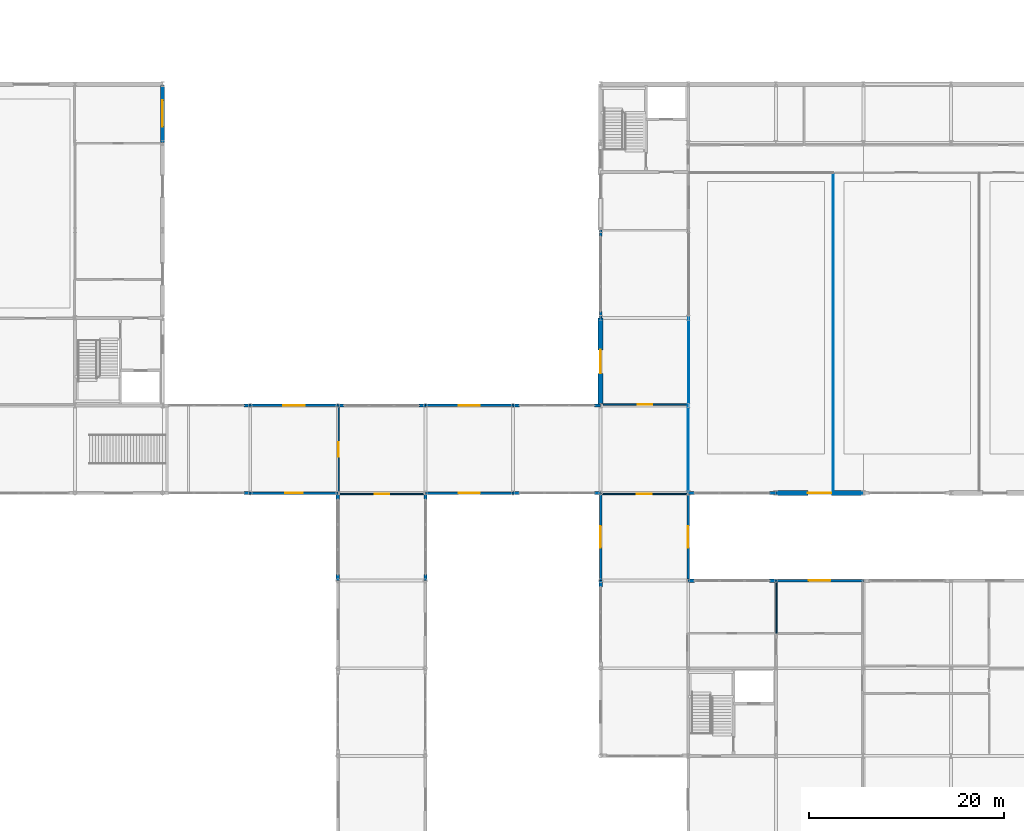
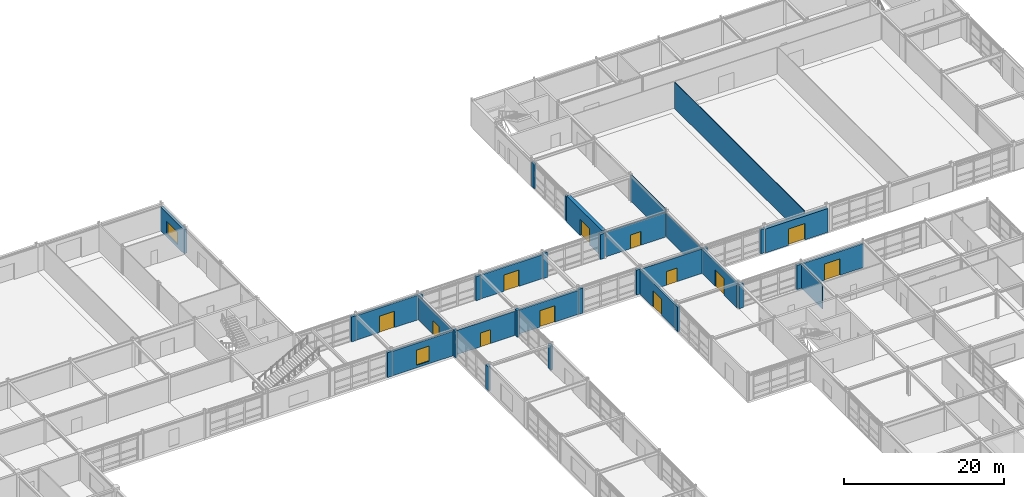
# One storey, part 63 of 72: 37 walls, 12 doors, 2 windows, 14 openings.
"""IFC4 building model written with IfcOpenShell, lengths in metres."""

from ifc_helpers import new_model, si_unit, direction, frame, frame_2d, origin, place, context, subcontext, project, spatial, rectangle, extrude, material, layer, layer_set, type_object, element, fill, save


model = new_model("IFC4")

# Units and contexts
model_context = context("Model", 3, precision=1e-05, world=origin(), true_north=direction((0.0, 1.0)))
body_context = subcontext(model_context, "Body", "Model", "MODEL_VIEW")
ifc_project = project(units=[si_unit("LENGTHUNIT", "METRE"), si_unit("AREAUNIT", "SQUARE_METRE"), si_unit("VOLUMEUNIT", "CUBIC_METRE"), si_unit("PLANEANGLEUNIT", "RADIAN"), si_unit("MASSUNIT", "GRAM", prefix="KILO")], contexts=[model_context])

# Site, building, storey
site_placement = place(None, origin())
site = spatial("IfcSite", under=ifc_project, at=site_placement, CompositionType="ELEMENT")
building_placement = place(site_placement, origin())
building = spatial("IfcBuilding", under=site, at=building_placement, Name="Palais des Congres Ocreval", CompositionType="ELEMENT")
storey_placement = place(building_placement, origin())
storey = spatial("IfcBuildingStorey", under=building, at=storey_placement, Name="L00", CompositionType="ELEMENT", Elevation=0.0)

# Wall, opening, door
ifc_material_1 = material(Name="Concrete C40/50", Category="concrete")
ifc_layer_1 = layer(ifc_material_1, 0.5)
ifc_layer_set_1 = layer_set([ifc_layer_1], Name="Acoustic Ballroom Wall 500 Concrete C40/50")
wall_type_1 = type_object("IfcWallType", Name="Acoustic Ballroom Wall 500 Concrete C40/50", PredefinedType="SOLIDWALL", material=ifc_layer_set_1)
wall_1_placement = place(storey_placement, frame((99.0, 81.155029296875, 0.0), z_axis=(0.0, 0.0, 1.0), x_axis=(0.0, 1.0, 0.0)))
wall_1 = element("IfcWall", 1, at=wall_1_placement, inside=storey, type_object=wall_type_1, Name="Exterior Wall EW01 L00", PredefinedType="SOLIDWALL", context=body_context, shape_type="SweptSolid", body=[
    extrude(rectangle(XDim=8.844970703125, YDim=0.5, at=frame_2d((4.42236328125, 0.0))), origin(), (0.0, 0.0, 1.0), 4.054931640625),
])
opening_1_placement = place(wall_1_placement, frame((3.14501953125, 0.0, 0.0)))
opening_1 = element("IfcOpeningElement", 2, at=opening_1_placement, cuts=wall_1, Name="Opening ED03", PredefinedType="OPENING", context=body_context, shape_type="SweptSolid", body=[
    extrude(rectangle(XDim=2.39990234375, YDim=2.5, at=frame_2d((1.199951171875, 1.25))), frame((0.0, 0.260009765625, 0.0), z_axis=(0.0, -1.0, 0.0), x_axis=(1.0, 0.0, 0.0)), (0.0, 0.0, 1.0), 0.52001953125),
])
ifc_material_2 = material(Name="Anodized bronze aluminium and safety glass", Category="aluminium")
door_type_1 = type_object("IfcDoorType", Name="Ballroom Final Exit Door 2400x2500", OperationType="NOTDEFINED", PredefinedType="DOOR", material=ifc_material_2)
door_1_placement = place(opening_1_placement, origin())
door_1 = element("IfcDoor", 3, at=door_1_placement, inside=storey, type_object=door_type_1, Name="Pedestrian Final Exit Door E20", OperationType="DOUBLE_DOOR_SINGLE_SWING", OverallHeight=2.5, OverallWidth=2.39990234375, PredefinedType="DOOR", context=body_context, shape_type="SweptSolid", body=[
    extrude(rectangle(XDim=2.39990234375, YDim=2.5, at=frame_2d((1.199951171875, 1.25))), frame((0.0, 0.02490234375, 0.0), z_axis=(0.0, -1.0, 0.0), x_axis=(1.0, 0.0, 0.0)), (0.0, 0.0, 1.0), 0.050048828125),
])
fill(opening_1, door_1)

wall_2_placement = place(storey_placement, frame((126.0, 72.0, 0.0), z_axis=(0.0, 0.0, 1.0), x_axis=(-1.0, 0.0, 0.0)))
wall_2 = element("IfcWall", 4, at=wall_2_placement, inside=storey, type_object=wall_type_1, Name="Exterior Wall EW01 L00", PredefinedType="SOLIDWALL", context=body_context, shape_type="SweptSolid", body=[
    extrude(rectangle(XDim=9.0, YDim=0.5, at=frame_2d((4.5, 0.0))), origin(), (0.0, 0.0, 1.0), 3.655029296875),
])
opening_2_placement = place(wall_2_placement, frame((3.300048828125, 0.0, 0.0)))
opening_2 = element("IfcOpeningElement", 5, at=opening_2_placement, cuts=wall_2, Name="Opening ED03", PredefinedType="OPENING", context=body_context, shape_type="SweptSolid", body=[
    extrude(rectangle(XDim=2.39990234375, YDim=2.5, at=frame_2d((1.199951171875, 1.25))), frame((0.0, 0.260009765625, 0.0), z_axis=(0.0, -1.0, 0.0), x_axis=(1.0, 0.0, 0.0)), (0.0, 0.0, 1.0), 0.52001953125),
])
door_2_placement = place(opening_2_placement, origin())
door_2 = element("IfcDoor", 6, at=door_2_placement, inside=storey, type_object=door_type_1, Name="Pedestrian Final Exit Door E25", OperationType="DOUBLE_DOOR_SINGLE_SWING", OverallHeight=2.5, OverallWidth=2.39990234375, PredefinedType="DOOR", context=body_context, shape_type="SweptSolid", body=[
    extrude(rectangle(XDim=2.39990234375, YDim=2.5, at=frame_2d((1.199951171875, 1.25))), frame((0.0, 0.02490234375, 0.0), z_axis=(0.0, -1.0, 0.0), x_axis=(1.0, 0.0, 0.0)), (0.0, 0.0, 1.0), 0.050048828125),
])
fill(opening_2, door_2)

# Wall, opening, window
ifc_layer_2 = layer(ifc_material_1, 0.419921875)
ifc_layer_set_2 = layer_set([ifc_layer_2], Name="Congress Stone Facade Wall 420 Concrete C40/50")
wall_type_2 = type_object("IfcWallType", Name="Congress Stone Facade Wall 420 Concrete C40/50", PredefinedType="SOLIDWALL", material=ifc_layer_set_2)
wall_3_placement = place(storey_placement, frame((54.0, 113.844970703125, 0.0), z_axis=(0.0, 0.0, 1.0), x_axis=(0.0, -1.0, 0.0)))
wall_3 = element("IfcWall", 7, at=wall_3_placement, inside=storey, type_object=wall_type_2, Name="Exterior Wall EW02 L00", PredefinedType="SOLIDWALL", context=body_context, shape_type="SweptSolid", body=[
    extrude(rectangle(XDim=5.844970703125, YDim=0.419921875, at=frame_2d((2.92236328125, 0.0))), origin(), (0.0, 0.0, 1.0), 3.655029296875),
])
opening_3_placement = place(wall_3_placement, frame((1.4951171875, 0.0, 0.39990234375)))
opening_3 = element("IfcOpeningElement", 8, at=opening_3_placement, cuts=wall_3, Name="Opening WN04", PredefinedType="OPENING", context=body_context, shape_type="SweptSolid", body=[
    extrude(rectangle(XDim=2.699951171875, YDim=1.949951171875, at=frame_2d((1.35009765625, 0.97509765625))), frame((0.0, 0.219970703125, 0.0), z_axis=(0.0, -1.0, 0.0), x_axis=(1.0, 0.0, 0.0)), (0.0, 0.0, 1.0), 0.43994140625),
])
ifc_material_3 = material(Name="Anodized bronze aluminium and low-E glass", Category="glass")
window_type_1 = type_object("IfcWindowType", Name="Suite Corner Window 2700x1950", PartitioningType="SINGLE_PANEL", PredefinedType="WINDOW", material=ifc_material_3)
window_1_placement = place(opening_3_placement, origin())
window_1 = element("IfcWindow", 9, at=window_1_placement, inside=storey, type_object=window_type_1, Name="Facade Window WN04", OverallHeight=1.949951171875, OverallWidth=2.699951171875, PartitioningType="SINGLE_PANEL", PredefinedType="WINDOW", context=body_context, shape_type="SweptSolid", body=[
    extrude(rectangle(XDim=2.699951171875, YDim=1.949951171875, at=frame_2d((1.35009765625, 0.97509765625))), frame((0.0, 0.030029296875, 0.0), z_axis=(0.0, -1.0, 0.0), x_axis=(1.0, 0.0, 0.0)), (0.0, 0.0, 1.0), 0.06005859375),
])
fill(opening_3, window_1)

# Wall, opening, door
ifc_material_4 = material(Name="Gypsum acoustic partition")
ifc_layer_3 = layer(ifc_material_4, 0.159912109375)
ifc_layer_set_3 = layer_set([ifc_layer_3], Name="Corridor Fire Partition 160 Gypsum (Gypsum acoustic partition)")
wall_type_3 = type_object("IfcWallType", Name="Corridor Fire Partition 160 Gypsum", PredefinedType="PARTITIONING", material=ifc_layer_set_3)
wall_4_placement = place(storey_placement, frame((99.2548828125, 81.090087890625, 0.0), z_axis=(0.0, 0.0, 1.0), x_axis=(1.0, 0.0, 0.0)))
wall_4 = element("IfcWall", 10, at=wall_4_placement, inside=storey, type_object=wall_type_3, Name="Interior Partition IW03 L00", PredefinedType="PARTITIONING", context=body_context, shape_type="SweptSolid", body=[
    extrude(rectangle(XDim=8.5751953125, YDim=0.159912109375, at=frame_2d((4.28759765625, 0.0))), origin(), (0.0, 0.0, 1.0), 3.7548828125),
])
opening_4_placement = place(wall_4_placement, frame((3.53759765625, 0.0, 0.0)))
opening_4 = element("IfcOpeningElement", 11, at=opening_4_placement, cuts=wall_4, Name="Opening D04", PredefinedType="OPENING", context=body_context, shape_type="SweptSolid", body=[
    extrude(rectangle(XDim=1.5, YDim=2.10009765625, at=frame_2d((0.75, 1.050048828125))), frame((0.0, 0.08984375, 0.0), z_axis=(0.0, -1.0, 0.0), x_axis=(1.0, 0.0, 0.0)), (0.0, 0.0, 1.0), 0.179931640625),
])
ifc_material_5 = material(Name="Solid French oak fire door", Category="wood")
door_type_2 = type_object("IfcDoorType", Name="Corridor Compartment Double Door 1500x2100", OperationType="NOTDEFINED", PredefinedType="DOOR", material=ifc_material_5)
door_3_placement = place(opening_4_placement, origin())
door_3 = element("IfcDoor", 12, at=door_3_placement, inside=storey, type_object=door_type_2, Name="Interior Door D04 L00", OperationType="DOUBLE_DOOR_SINGLE_SWING", OverallHeight=2.10009765625, OverallWidth=1.5, PredefinedType="DOOR", context=body_context, shape_type="SweptSolid", body=[
    extrude(rectangle(XDim=1.5, YDim=2.10009765625, at=frame_2d((0.75, 1.050048828125))), frame((0.0, 0.02490234375, 0.0), z_axis=(0.0, -1.0, 0.0), x_axis=(1.0, 0.0, 0.0)), (0.0, 0.0, 1.0), 0.050048828125),
])
fill(opening_4, door_3)

# Walls
ifc_layer_4 = layer(ifc_material_1, 0.340087890625)
ifc_layer_set_4 = layer_set([ifc_layer_4], Name="Ochre Mineral-Lime Courtyard Wall 340 Concrete C40/50")
wall_type_4 = type_object("IfcWallType", Name="Ochre Mineral-Lime Courtyard Wall 340 Concrete C40/50", PredefinedType="SOLIDWALL", material=ifc_layer_set_4)
wall_5_placement = place(storey_placement, frame((62.35009765625, 81.0, 0.0), z_axis=(0.0, 0.0, 1.0), x_axis=(1.0, 0.0, 0.0)))
element("IfcWall", 13, at=wall_5_placement, inside=storey, type_object=wall_type_4, Name="Facade Pier EW04 L00", PredefinedType="SOLIDWALL", context=body_context, shape_type="SweptSolid", body=[
    extrude(rectangle(XDim=0.64990234375, YDim=0.340087890625, at=frame_2d((0.324951171875, 0.0))), origin(), (0.0, 0.0, 1.0), 3.824951171875),
])
for number, where, z_axis, x_axis, name in (
    (14, (72.0, 81.0, 0.0), (0.0, 0.0, 1.0), (1.0, 0.0, 0.0), "Facade Pier EW04 L00"),
    (15, (80.35009765625, 81.0, 0.0), (0.0, 0.0, 1.0), (1.0, 0.0, 0.0), "Facade Pier EW04 L00"),
):
    element("IfcWall", number, at=place(storey_placement, frame(where, z_axis=z_axis, x_axis=x_axis)), inside=storey, type_object=wall_type_4, Name=name, PredefinedType="SOLIDWALL", context=body_context, shape_type="SweptSolid", body=[
        extrude(rectangle(XDim=0.64990234375, YDim=0.340087890625, at=frame_2d((0.324951171875, 0.0))), origin(), (0.0, 0.0, 1.0), 3.695068359375),
    ])
for number, where, z_axis, x_axis, name in (
    (16, (90.0, 81.0, 0.0), (0.0, 0.0, 1.0), (1.0, 0.0, 0.0), "Facade Pier EW04 L00"),
    (17, (98.35009765625, 81.0, 0.0), (0.0, 0.0, 1.0), (1.0, 0.0, 0.0), "Facade Pier EW04 L00"),
):
    element("IfcWall", number, at=place(storey_placement, frame(where, z_axis=z_axis, x_axis=x_axis)), inside=storey, type_object=wall_type_4, Name=name, PredefinedType="SOLIDWALL", context=body_context, shape_type="SweptSolid", body=[
        extrude(rectangle(XDim=0.64990234375, YDim=0.340087890625, at=frame_2d((0.324951171875, 0.0))), origin(), (0.0, 0.0, 1.0), 3.824951171875),
    ])
for number, where, z_axis, x_axis, name in (
    (18, (108.0, 63.0, 0.0), (0.0, 0.0, 1.0), (1.0, 0.0, 0.0), "Facade Pier EW04 L00"),
    (19, (116.35009765625, 63.0, 0.0), (0.0, 0.0, 1.0), (1.0, 0.0, 0.0), "Facade Pier EW04 L00"),
):
    element("IfcWall", number, at=place(storey_placement, frame(where, z_axis=z_axis, x_axis=x_axis)), inside=storey, type_object=wall_type_4, Name=name, PredefinedType="SOLIDWALL", context=body_context, shape_type="SweptSolid", body=[
        extrude(rectangle(XDim=0.64990234375, YDim=0.340087890625, at=frame_2d((0.324951171875, 0.0))), origin(), (0.0, 0.0, 1.0), 3.695068359375),
    ])
wall_6_placement = place(storey_placement, frame((99.0, 62.35009765625, 0.0), z_axis=(0.0, 0.0, 1.0), x_axis=(0.0, 1.0, 0.0)))
element("IfcWall", 20, at=wall_6_placement, inside=storey, type_object=wall_type_4, Name="Facade Pier EW04 L00", PredefinedType="SOLIDWALL", context=body_context, shape_type="SweptSolid", body=[
    extrude(rectangle(XDim=0.64990234375, YDim=0.340087890625, at=frame_2d((0.324951171875, 0.0))), origin(), (0.0, 0.0, 1.0), 3.7548828125),
])
for number, where, z_axis, x_axis, name in (
    (21, (99.0, 72.0, 0.0), (0.0, 0.0, 1.0), (-1.0, 0.0, 0.0), "Facade Pier EW04 L00"),
    (22, (90.64990234375, 72.0, 0.0), (0.0, 0.0, 1.0), (-1.0, 0.0, 0.0), "Facade Pier EW04 L00"),
):
    element("IfcWall", number, at=place(storey_placement, frame(where, z_axis=z_axis, x_axis=x_axis)), inside=storey, type_object=wall_type_4, Name=name, PredefinedType="SOLIDWALL", context=body_context, shape_type="SweptSolid", body=[
        extrude(rectangle(XDim=0.64990234375, YDim=0.340087890625, at=frame_2d((0.324951171875, 0.0))), origin(), (0.0, 0.0, 1.0), 3.824951171875),
    ])
wall_7_placement = place(storey_placement, frame((81.0, 71.844970703125, 0.0), z_axis=(0.0, 0.0, 1.0), x_axis=(0.0, -1.0, 0.0)))
element("IfcWall", 23, at=wall_7_placement, inside=storey, type_object=wall_type_4, Name="Facade Pier EW04 L00", PredefinedType="SOLIDWALL", context=body_context, shape_type="SweptSolid", body=[
    extrude(rectangle(XDim=0.494873046875, YDim=0.340087890625, at=frame_2d((0.24755859375, 0.0))), origin(), (0.0, 0.0, 1.0), 4.054931640625),
])
for number, where, z_axis, x_axis, name in (
    (24, (81.0, 63.64990234375, 0.0), (0.0, 0.0, 1.0), (0.0, -1.0, 0.0), "Facade Pier EW04 L00"),
    (25, (72.0, 63.0, 0.0), (0.0, 0.0, 1.0), (0.0, 1.0, 0.0), "Facade Pier EW04 L00"),
):
    element("IfcWall", number, at=place(storey_placement, frame(where, z_axis=z_axis, x_axis=x_axis)), inside=storey, type_object=wall_type_4, Name=name, PredefinedType="SOLIDWALL", context=body_context, shape_type="SweptSolid", body=[
        extrude(rectangle(XDim=0.64990234375, YDim=0.340087890625, at=frame_2d((0.324951171875, 0.0))), origin(), (0.0, 0.0, 1.0), 3.695068359375),
    ])
wall_8_placement = place(storey_placement, frame((72.0, 71.35009765625, 0.0), z_axis=(0.0, 0.0, 1.0), x_axis=(0.0, 1.0, 0.0)))
element("IfcWall", 26, at=wall_8_placement, inside=storey, type_object=wall_type_4, Name="Facade Pier EW04 L00", PredefinedType="SOLIDWALL", context=body_context, shape_type="SweptSolid", body=[
    extrude(rectangle(XDim=0.494873046875, YDim=0.340087890625, at=frame_2d((0.24755859375, 0.0))), origin(), (0.0, 0.0, 1.0), 4.054931640625),
])
wall_9_placement = place(storey_placement, frame((63.0, 72.0, 0.0), z_axis=(0.0, 0.0, 1.0), x_axis=(-1.0, 0.0, 0.0)))
element("IfcWall", 27, at=wall_9_placement, inside=storey, type_object=wall_type_4, Name="Facade Pier EW04 L00", PredefinedType="SOLIDWALL", context=body_context, shape_type="SweptSolid", body=[
    extrude(rectangle(XDim=0.64990234375, YDim=0.340087890625, at=frame_2d((0.324951171875, 0.0))), origin(), (0.0, 0.0, 1.0), 3.824951171875),
])
ifc_material_6 = material(Name="Gypsum board partition")
ifc_layer_5 = layer(ifc_material_6, 0.10009765625)
ifc_layer_set_5 = layer_set([ifc_layer_5], Name="Operable Pocket Lining Wall 100 Gypsum (Gypsum board partition)")
wall_type_5 = type_object("IfcWallType", Name="Operable Pocket Lining Wall 100 Gypsum", PredefinedType="PARTITIONING", material=ifc_layer_set_5)
wall_10_placement = place(storey_placement, frame((107.985107421875, 72.14501953125, 0.0), z_axis=(0.0, 0.0, 1.0), x_axis=(0.0, 1.0, 0.0)))
element("IfcWall", 28, at=wall_10_placement, inside=storey, type_object=wall_type_5, Name="Interior Partition IW05 L00", PredefinedType="PARTITIONING", context=body_context, shape_type="SweptSolid", body=[
    extrude(rectangle(XDim=8.93505859375, YDim=0.10009765625, at=frame_2d((4.467529296875, 0.0))), origin(), (0.0, 0.0, 1.0), 3.655029296875),
])
wall_11_placement = place(storey_placement, frame((122.909912109375, 72.2548828125, 0.0), z_axis=(0.0, 0.0, 1.0), x_axis=(0.0, 1.0, 0.0)))
element("IfcWall", 29, at=wall_11_placement, inside=storey, type_object=wall_type_5, Name="Interior Partition IW05 L00", PredefinedType="PARTITIONING", context=body_context, shape_type="SweptSolid", body=[
    extrude(rectangle(XDim=32.5, YDim=0.10009765625, at=frame_2d((16.25, 0.0))), origin(), (0.0, 0.0, 1.0), 4.054931640625),
])
wall_12_placement = place(storey_placement, frame((108.06494140625, 81.2451171875, 0.0), z_axis=(0.0, 0.0, 1.0), x_axis=(0.0, 1.0, 0.0)))
element("IfcWall", 30, at=wall_12_placement, inside=storey, type_object=wall_type_5, Name="Interior Partition IW05 L00", PredefinedType="PARTITIONING", context=body_context, shape_type="SweptSolid", body=[
    extrude(rectangle(XDim=8.77490234375, YDim=0.10009765625, at=frame_2d((4.387451171875, 0.0))), origin(), (0.0, 0.0, 1.0), 4.054931640625),
])

# Wall, opening, door
ifc_layer_6 = layer(ifc_material_1, 0.260009765625)
ifc_layer_set_6 = layer_set([ifc_layer_6], Name="Sawtooth Clerestory Wall 260 Concrete C40/50")
wall_type_6 = type_object("IfcWallType", Name="Sawtooth Clerestory Wall 260 Concrete C40/50", PredefinedType="SOLIDWALL", material=ifc_layer_set_6)
wall_13_placement = place(storey_placement, frame((63.0, 81.0, 0.0), z_axis=(0.0, 0.0, 1.0), x_axis=(1.0, 0.0, 0.0)))
wall_13 = element("IfcWall", 31, at=wall_13_placement, inside=storey, type_object=wall_type_6, Name="Exterior Wall EW06 L00", PredefinedType="SOLIDWALL", context=body_context, shape_type="SweptSolid", body=[
    extrude(rectangle(XDim=9.0, YDim=0.260009765625, at=frame_2d((4.5, 0.0))), origin(), (0.0, 0.0, 1.0), 3.7548828125),
])
opening_5_placement = place(wall_13_placement, frame((3.39990234375, 0.0, 0.0)))
opening_5 = element("IfcOpeningElement", 32, at=opening_5_placement, cuts=wall_13, Name="Opening ED02", PredefinedType="OPENING", context=body_context, shape_type="SweptSolid", body=[
    extrude(rectangle(XDim=2.199951171875, YDim=2.5, at=frame_2d((1.10009765625, 1.25))), frame((0.0, 0.139892578125, 0.0), z_axis=(0.0, -1.0, 0.0), x_axis=(1.0, 0.0, 0.0)), (0.0, 0.0, 1.0), 0.280029296875),
])
door_type_3 = type_object("IfcDoorType", Name="Congress Grand Final Exit Door 2200x2500", OperationType="NOTDEFINED", PredefinedType="DOOR", material=ifc_material_2)
door_4_placement = place(opening_5_placement, origin())
door_4 = element("IfcDoor", 33, at=door_4_placement, inside=storey, type_object=door_type_3, Name="Pedestrian Final Exit Door E18", OperationType="DOUBLE_DOOR_SINGLE_SWING", OverallHeight=2.5, OverallWidth=2.199951171875, PredefinedType="DOOR", context=body_context, shape_type="SweptSolid", body=[
    extrude(rectangle(XDim=2.199951171875, YDim=2.5, at=frame_2d((1.10009765625, 1.25))), frame((0.0, 0.02490234375, 0.0), z_axis=(0.0, -1.0, 0.0), x_axis=(1.0, 0.0, 0.0)), (0.0, 0.0, 1.0), 0.050048828125),
])
fill(opening_5, door_4)

wall_14_placement = place(storey_placement, frame((81.0, 81.0, 0.0), z_axis=(0.0, 0.0, 1.0), x_axis=(1.0, 0.0, 0.0)))
wall_14 = element("IfcWall", 34, at=wall_14_placement, inside=storey, type_object=wall_type_6, Name="Exterior Wall EW06 L00", PredefinedType="SOLIDWALL", context=body_context, shape_type="SweptSolid", body=[
    extrude(rectangle(XDim=9.0, YDim=0.260009765625, at=frame_2d((4.5, 0.0))), origin(), (0.0, 0.0, 1.0), 3.655029296875),
])
opening_6_placement = place(wall_14_placement, frame((3.39990234375, 0.0, 0.0)))
opening_6 = element("IfcOpeningElement", 35, at=opening_6_placement, cuts=wall_14, Name="Opening ED02", PredefinedType="OPENING", context=body_context, shape_type="SweptSolid", body=[
    extrude(rectangle(XDim=2.199951171875, YDim=2.5, at=frame_2d((1.10009765625, 1.25))), frame((0.0, 0.139892578125, 0.0), z_axis=(0.0, -1.0, 0.0), x_axis=(1.0, 0.0, 0.0)), (0.0, 0.0, 1.0), 0.280029296875),
])
door_5_placement = place(opening_6_placement, origin())
door_5 = element("IfcDoor", 36, at=door_5_placement, inside=storey, type_object=door_type_3, Name="Pedestrian Final Exit Door E19", OperationType="DOUBLE_DOOR_SINGLE_SWING", OverallHeight=2.5, OverallWidth=2.199951171875, PredefinedType="DOOR", context=body_context, shape_type="SweptSolid", body=[
    extrude(rectangle(XDim=2.199951171875, YDim=2.5, at=frame_2d((1.10009765625, 1.25))), frame((0.0, 0.02490234375, 0.0), z_axis=(0.0, -1.0, 0.0), x_axis=(1.0, 0.0, 0.0)), (0.0, 0.0, 1.0), 0.050048828125),
])
fill(opening_6, door_5)

wall_15_placement = place(storey_placement, frame((108.0, 71.844970703125, 0.0), z_axis=(0.0, 0.0, 1.0), x_axis=(0.0, -1.0, 0.0)))
wall_15 = element("IfcWall", 37, at=wall_15_placement, inside=storey, type_object=wall_type_6, Name="Exterior Wall EW06 L00", PredefinedType="SOLIDWALL", context=body_context, shape_type="SweptSolid", body=[
    extrude(rectangle(XDim=8.68994140625, YDim=0.260009765625, at=frame_2d((4.344970703125, 0.0))), origin(), (0.0, 0.0, 1.0), 3.695068359375),
])
opening_7_placement = place(wall_15_placement, frame((3.2451171875, 0.0, 0.0)))
opening_7 = element("IfcOpeningElement", 38, at=opening_7_placement, cuts=wall_15, Name="Opening ED02", PredefinedType="OPENING", context=body_context, shape_type="SweptSolid", body=[
    extrude(rectangle(XDim=2.199951171875, YDim=2.5, at=frame_2d((1.10009765625, 1.25))), frame((0.0, 0.139892578125, 0.0), z_axis=(0.0, -1.0, 0.0), x_axis=(1.0, 0.0, 0.0)), (0.0, 0.0, 1.0), 0.280029296875),
])
door_6_placement = place(opening_7_placement, origin())
door_6 = element("IfcDoor", 39, at=door_6_placement, inside=storey, type_object=door_type_3, Name="Pedestrian Final Exit Door E26", OperationType="DOUBLE_DOOR_SINGLE_SWING", OverallHeight=2.5, OverallWidth=2.199951171875, PredefinedType="DOOR", context=body_context, shape_type="SweptSolid", body=[
    extrude(rectangle(XDim=2.199951171875, YDim=2.5, at=frame_2d((1.10009765625, 1.25))), frame((0.0, 0.02490234375, 0.0), z_axis=(0.0, -1.0, 0.0), x_axis=(1.0, 0.0, 0.0)), (0.0, 0.0, 1.0), 0.050048828125),
])
fill(opening_7, door_6)

wall_16_placement = place(storey_placement, frame((117.0, 63.0, 0.0), z_axis=(0.0, 0.0, 1.0), x_axis=(1.0, 0.0, 0.0)))
wall_16 = element("IfcWall", 40, at=wall_16_placement, inside=storey, type_object=wall_type_6, Name="Exterior Wall EW06 L00", PredefinedType="SOLIDWALL", context=body_context, shape_type="SweptSolid", body=[
    extrude(rectangle(XDim=9.0, YDim=0.260009765625, at=frame_2d((4.5, 0.0))), origin(), (0.0, 0.0, 1.0), 3.655029296875),
])
opening_8_placement = place(wall_16_placement, frame((3.39990234375, 0.0, 0.0)))
opening_8 = element("IfcOpeningElement", 41, at=opening_8_placement, cuts=wall_16, Name="Opening ED02", PredefinedType="OPENING", context=body_context, shape_type="SweptSolid", body=[
    extrude(rectangle(XDim=2.199951171875, YDim=2.5, at=frame_2d((1.10009765625, 1.25))), frame((0.0, 0.139892578125, 0.0), z_axis=(0.0, -1.0, 0.0), x_axis=(1.0, 0.0, 0.0)), (0.0, 0.0, 1.0), 0.280029296875),
])
door_7_placement = place(opening_8_placement, origin())
door_7 = element("IfcDoor", 42, at=door_7_placement, inside=storey, type_object=door_type_3, Name="Pedestrian Final Exit Door E27", OperationType="DOUBLE_DOOR_SINGLE_SWING", OverallHeight=2.5, OverallWidth=2.199951171875, PredefinedType="DOOR", context=body_context, shape_type="SweptSolid", body=[
    extrude(rectangle(XDim=2.199951171875, YDim=2.5, at=frame_2d((1.10009765625, 1.25))), frame((0.0, 0.02490234375, 0.0), z_axis=(0.0, -1.0, 0.0), x_axis=(1.0, 0.0, 0.0)), (0.0, 0.0, 1.0), 0.050048828125),
])
fill(opening_8, door_7)

wall_17_placement = place(storey_placement, frame((99.0, 63.0, 0.0), z_axis=(0.0, 0.0, 1.0), x_axis=(0.0, 1.0, 0.0)))
wall_17 = element("IfcWall", 43, at=wall_17_placement, inside=storey, type_object=wall_type_6, Name="Exterior Wall EW06 L00", PredefinedType="SOLIDWALL", context=body_context, shape_type="SweptSolid", body=[
    extrude(rectangle(XDim=8.844970703125, YDim=0.260009765625, at=frame_2d((4.42236328125, 0.0))), origin(), (0.0, 0.0, 1.0), 3.695068359375),
])
opening_9_placement = place(wall_17_placement, frame((3.39990234375, 0.0, 0.0)))
opening_9 = element("IfcOpeningElement", 44, at=opening_9_placement, cuts=wall_17, Name="Opening ED02", PredefinedType="OPENING", context=body_context, shape_type="SweptSolid", body=[
    extrude(rectangle(XDim=2.199951171875, YDim=2.5, at=frame_2d((1.10009765625, 1.25))), frame((0.0, 0.139892578125, 0.0), z_axis=(0.0, -1.0, 0.0), x_axis=(1.0, 0.0, 0.0)), (0.0, 0.0, 1.0), 0.280029296875),
])
door_8_placement = place(opening_9_placement, origin())
door_8 = element("IfcDoor", 45, at=door_8_placement, inside=storey, type_object=door_type_3, Name="Pedestrian Final Exit Door E35", OperationType="DOUBLE_DOOR_SINGLE_SWING", OverallHeight=2.5, OverallWidth=2.199951171875, PredefinedType="DOOR", context=body_context, shape_type="SweptSolid", body=[
    extrude(rectangle(XDim=2.199951171875, YDim=2.5, at=frame_2d((1.10009765625, 1.25))), frame((0.0, 0.02490234375, 0.0), z_axis=(0.0, -1.0, 0.0), x_axis=(1.0, 0.0, 0.0)), (0.0, 0.0, 1.0), 0.050048828125),
])
fill(opening_9, door_8)

wall_18_placement = place(storey_placement, frame((90.0, 72.0, 0.0), z_axis=(0.0, 0.0, 1.0), x_axis=(-1.0, 0.0, 0.0)))
wall_18 = element("IfcWall", 46, at=wall_18_placement, inside=storey, type_object=wall_type_6, Name="Exterior Wall EW06 L00", PredefinedType="SOLIDWALL", context=body_context, shape_type="SweptSolid", body=[
    extrude(rectangle(XDim=9.0, YDim=0.260009765625, at=frame_2d((4.5, 0.0))), origin(), (0.0, 0.0, 1.0), 3.655029296875),
])
opening_10_placement = place(wall_18_placement, frame((3.39990234375, 0.0, 0.0)))
opening_10 = element("IfcOpeningElement", 47, at=opening_10_placement, cuts=wall_18, Name="Opening ED02", PredefinedType="OPENING", context=body_context, shape_type="SweptSolid", body=[
    extrude(rectangle(XDim=2.199951171875, YDim=2.5, at=frame_2d((1.10009765625, 1.25))), frame((0.0, 0.139892578125, 0.0), z_axis=(0.0, -1.0, 0.0), x_axis=(1.0, 0.0, 0.0)), (0.0, 0.0, 1.0), 0.280029296875),
])
door_9_placement = place(opening_10_placement, origin())
door_9 = element("IfcDoor", 48, at=door_9_placement, inside=storey, type_object=door_type_3, Name="Pedestrian Final Exit Door E36", OperationType="DOUBLE_DOOR_SINGLE_SWING", OverallHeight=2.5, OverallWidth=2.199951171875, PredefinedType="DOOR", context=body_context, shape_type="SweptSolid", body=[
    extrude(rectangle(XDim=2.199951171875, YDim=2.5, at=frame_2d((1.10009765625, 1.25))), frame((0.0, 0.02490234375, 0.0), z_axis=(0.0, -1.0, 0.0), x_axis=(1.0, 0.0, 0.0)), (0.0, 0.0, 1.0), 0.050048828125),
])
fill(opening_10, door_9)

# Wall, opening, window
wall_19_placement = place(storey_placement, frame((72.0, 72.0, 0.0), z_axis=(0.0, 0.0, 1.0), x_axis=(-1.0, 0.0, 0.0)))
wall_19 = element("IfcWall", 49, at=wall_19_placement, inside=storey, type_object=wall_type_6, Name="Exterior Wall EW06 L00", PredefinedType="SOLIDWALL", context=body_context, shape_type="SweptSolid", body=[
    extrude(rectangle(XDim=9.0, YDim=0.260009765625, at=frame_2d((4.5, 0.0))), origin(), (0.0, 0.0, 1.0), 3.7548828125),
])
opening_11_placement = place(wall_19_placement, frame((3.60009765625, 0.0, 0.39990234375)))
opening_11 = element("IfcOpeningElement", 50, at=opening_11_placement, cuts=wall_19, Name="Opening WN12", PredefinedType="OPENING", context=body_context, shape_type="SweptSolid", body=[
    extrude(rectangle(XDim=1.800048828125, YDim=2.300048828125, at=frame_2d((0.89990234375, 1.14990234375))), frame((0.0, 0.139892578125, 0.0), z_axis=(0.0, -1.0, 0.0), x_axis=(1.0, 0.0, 0.0)), (0.0, 0.0, 1.0), 0.280029296875),
])
window_type_2 = type_object("IfcWindowType", Name="Gastronomy Mezzanine Window 1800x2300", PartitioningType="SINGLE_PANEL", PredefinedType="WINDOW", material=ifc_material_3)
window_2_placement = place(opening_11_placement, origin())
window_2 = element("IfcWindow", 51, at=window_2_placement, inside=storey, type_object=window_type_2, Name="Facade Window WN12", OverallHeight=2.300048828125, OverallWidth=1.800048828125, PartitioningType="SINGLE_PANEL", PredefinedType="WINDOW", context=body_context, shape_type="SweptSolid", body=[
    extrude(rectangle(XDim=1.800048828125, YDim=2.300048828125, at=frame_2d((0.89990234375, 1.14990234375))), frame((0.0, 0.030029296875, 0.0), z_axis=(0.0, -1.0, 0.0), x_axis=(1.0, 0.0, 0.0)), (0.0, 0.0, 1.0), 0.06005859375),
])
fill(opening_11, window_2)

# Wall
ifc_layer_7 = layer(ifc_material_6, 0.1201171875)
ifc_layer_set_7 = layer_set([ifc_layer_7], Name="Suite Subdivision Partition 120 Gypsum (Gypsum board partition)")
wall_type_7 = type_object("IfcWallType", Name="Suite Subdivision Partition 120 Gypsum", PredefinedType="PARTITIONING", material=ifc_layer_set_7)
wall_20_placement = place(storey_placement, frame((117.06494140625, 57.60009765625, 0.0), z_axis=(0.0, 0.0, 1.0), x_axis=(0.0, 1.0, 0.0)))
element("IfcWall", 52, at=wall_20_placement, inside=storey, type_object=wall_type_7, Name="Interior Partition IW04 L00", PredefinedType="PARTITIONING", context=body_context, shape_type="SweptSolid", body=[
    extrude(rectangle(XDim=5.264892578125, YDim=0.1201171875, at=frame_2d((2.63232421875, 0.0))), origin(), (0.0, 0.0, 1.0), 3.764892578125),
])

# Wall, opening, door
wall_21_placement = place(storey_placement, frame((72.090087890625, 72.135009765625, 0.0), z_axis=(0.0, 0.0, 1.0), x_axis=(0.0, 1.0, 0.0)))
wall_21 = element("IfcWall", 53, at=wall_21_placement, inside=storey, type_object=wall_type_7, Name="Interior Partition IW04 L00", PredefinedType="PARTITIONING", context=body_context, shape_type="SweptSolid", body=[
    extrude(rectangle(XDim=8.68994140625, YDim=0.1201171875, at=frame_2d((4.344970703125, 0.0))), origin(), (0.0, 0.0, 1.0), 3.655029296875),
])
opening_12_placement = place(wall_21_placement, frame((3.594970703125, 0.0, 0.0)))
opening_12 = element("IfcOpeningElement", 54, at=opening_12_placement, cuts=wall_21, Name="Opening D04", PredefinedType="OPENING", context=body_context, shape_type="SweptSolid", body=[
    extrude(rectangle(XDim=1.5, YDim=2.10009765625, at=frame_2d((0.75, 1.050048828125))), frame((0.0, 0.070068359375, 0.0), z_axis=(0.0, -1.0, 0.0), x_axis=(1.0, 0.0, 0.0)), (0.0, 0.0, 1.0), 0.14013671875),
])
door_10_placement = place(opening_12_placement, origin())
door_10 = element("IfcDoor", 55, at=door_10_placement, inside=storey, type_object=door_type_2, Name="Interior Door D04 L00", OperationType="DOUBLE_DOOR_SINGLE_SWING", OverallHeight=2.10009765625, OverallWidth=1.5, PredefinedType="DOOR", context=body_context, shape_type="SweptSolid", body=[
    extrude(rectangle(XDim=1.5, YDim=2.10009765625, at=frame_2d((0.75, 1.050048828125))), frame((0.0, 0.02490234375, 0.0), z_axis=(0.0, -1.0, 0.0), x_axis=(1.0, 0.0, 0.0)), (0.0, 0.0, 1.0), 0.050048828125),
])
fill(opening_12, door_10)

wall_22_placement = place(storey_placement, frame((72.2451171875, 71.909912109375, 0.0), z_axis=(0.0, 0.0, 1.0), x_axis=(1.0, 0.0, 0.0)))
wall_22 = element("IfcWall", 56, at=wall_22_placement, inside=storey, type_object=wall_type_7, Name="Interior Partition IW04 L00", PredefinedType="PARTITIONING", context=body_context, shape_type="SweptSolid", body=[
    extrude(rectangle(XDim=8.579833984375, YDim=0.1201171875, at=frame_2d((4.2900390625, 0.0))), origin(), (0.0, 0.0, 1.0), 3.695068359375),
])
opening_13_placement = place(wall_22_placement, frame((3.5400390625, 0.0, 0.0)))
opening_13 = element("IfcOpeningElement", 57, at=opening_13_placement, cuts=wall_22, Name="Opening D04", PredefinedType="OPENING", context=body_context, shape_type="SweptSolid", body=[
    extrude(rectangle(XDim=1.5, YDim=2.10009765625, at=frame_2d((0.75, 1.050048828125))), frame((0.0, 0.070068359375, 0.0), z_axis=(0.0, -1.0, 0.0), x_axis=(1.0, 0.0, 0.0)), (0.0, 0.0, 1.0), 0.14013671875),
])
door_11_placement = place(opening_13_placement, origin())
door_11 = element("IfcDoor", 58, at=door_11_placement, inside=storey, type_object=door_type_2, Name="Interior Door D04 L00", OperationType="DOUBLE_DOOR_SINGLE_SWING", OverallHeight=2.10009765625, OverallWidth=1.5, PredefinedType="DOOR", context=body_context, shape_type="SweptSolid", body=[
    extrude(rectangle(XDim=1.5, YDim=2.10009765625, at=frame_2d((0.75, 1.050048828125))), frame((0.0, 0.02490234375, 0.0), z_axis=(0.0, -1.0, 0.0), x_axis=(1.0, 0.0, 0.0)), (0.0, 0.0, 1.0), 0.050048828125),
])
fill(opening_13, door_11)

wall_23_placement = place(storey_placement, frame((99.135009765625, 71.909912109375, 0.0), z_axis=(0.0, 0.0, 1.0), x_axis=(1.0, 0.0, 0.0)))
wall_23 = element("IfcWall", 59, at=wall_23_placement, inside=storey, type_object=wall_type_7, Name="Interior Partition IW04 L00", PredefinedType="PARTITIONING", context=body_context, shape_type="SweptSolid", body=[
    extrude(rectangle(XDim=8.695068359375, YDim=0.1201171875, at=frame_2d((4.34765625, 0.0))), origin(), (0.0, 0.0, 1.0), 3.7548828125),
])
opening_14_placement = place(wall_23_placement, frame((3.597412109375, 0.0, 0.0)))
opening_14 = element("IfcOpeningElement", 60, at=opening_14_placement, cuts=wall_23, Name="Opening D04", PredefinedType="OPENING", context=body_context, shape_type="SweptSolid", body=[
    extrude(rectangle(XDim=1.5, YDim=2.10009765625, at=frame_2d((0.75, 1.050048828125))), frame((0.0, 0.070068359375, 0.0), z_axis=(0.0, -1.0, 0.0), x_axis=(1.0, 0.0, 0.0)), (0.0, 0.0, 1.0), 0.14013671875),
])
door_12_placement = place(opening_14_placement, origin())
door_12 = element("IfcDoor", 61, at=door_12_placement, inside=storey, type_object=door_type_2, Name="Interior Door D04 L00", OperationType="DOUBLE_DOOR_SINGLE_SWING", OverallHeight=2.10009765625, OverallWidth=1.5, PredefinedType="DOOR", context=body_context, shape_type="SweptSolid", body=[
    extrude(rectangle(XDim=1.5, YDim=2.10009765625, at=frame_2d((0.75, 1.050048828125))), frame((0.0, 0.02490234375, 0.0), z_axis=(0.0, -1.0, 0.0), x_axis=(1.0, 0.0, 0.0)), (0.0, 0.0, 1.0), 0.050048828125),
])
fill(opening_14, door_12)

# Walls
ifc_layer_8 = layer(ifc_material_1, 0.280029296875)
ifc_layer_set_8 = layer_set([ifc_layer_8], Name="Terracotta Mineral-Lime Facade Wall 280 Concrete C40/50")
wall_type_8 = type_object("IfcWallType", Name="Terracotta Mineral-Lime Facade Wall 280 Concrete C40/50", PredefinedType="SOLIDWALL", material=ifc_layer_set_8)
for number, where, z_axis, x_axis, name in (
    (62, (99.0, 90.0, 0.0), (0.0, 0.0, 1.0), (0.0, 1.0, 0.0), "Facade Pier EW05 L00"),
    (63, (99.0, 98.35009765625, 0.0), (0.0, 0.0, 1.0), (0.0, 1.0, 0.0), "Facade Pier EW05 L00"),
):
    element("IfcWall", number, at=place(storey_placement, frame(where, z_axis=z_axis, x_axis=x_axis)), inside=storey, type_object=wall_type_8, Name=name, PredefinedType="SOLIDWALL", context=body_context, shape_type="SweptSolid", body=[
        extrude(rectangle(XDim=0.64990234375, YDim=0.280029296875, at=frame_2d((0.324951171875, 0.0))), origin(), (0.0, 0.0, 1.0), 3.7548828125),
    ])
for number, where, z_axis, x_axis, name in (
    (64, (117.0, 72.0, 0.0), (0.0, 0.0, 1.0), (-1.0, 0.0, 0.0), "Facade Pier EW05 L00"),
    (65, (108.64990234375, 72.0, 0.0), (0.0, 0.0, 1.0), (-1.0, 0.0, 0.0), "Facade Pier EW05 L00"),
):
    element("IfcWall", number, at=place(storey_placement, frame(where, z_axis=z_axis, x_axis=x_axis)), inside=storey, type_object=wall_type_8, Name=name, PredefinedType="SOLIDWALL", context=body_context, shape_type="SweptSolid", body=[
        extrude(rectangle(XDim=0.64990234375, YDim=0.280029296875, at=frame_2d((0.324951171875, 0.0))), origin(), (0.0, 0.0, 1.0), 3.695068359375),
    ])

save(model, "model.ifc")
